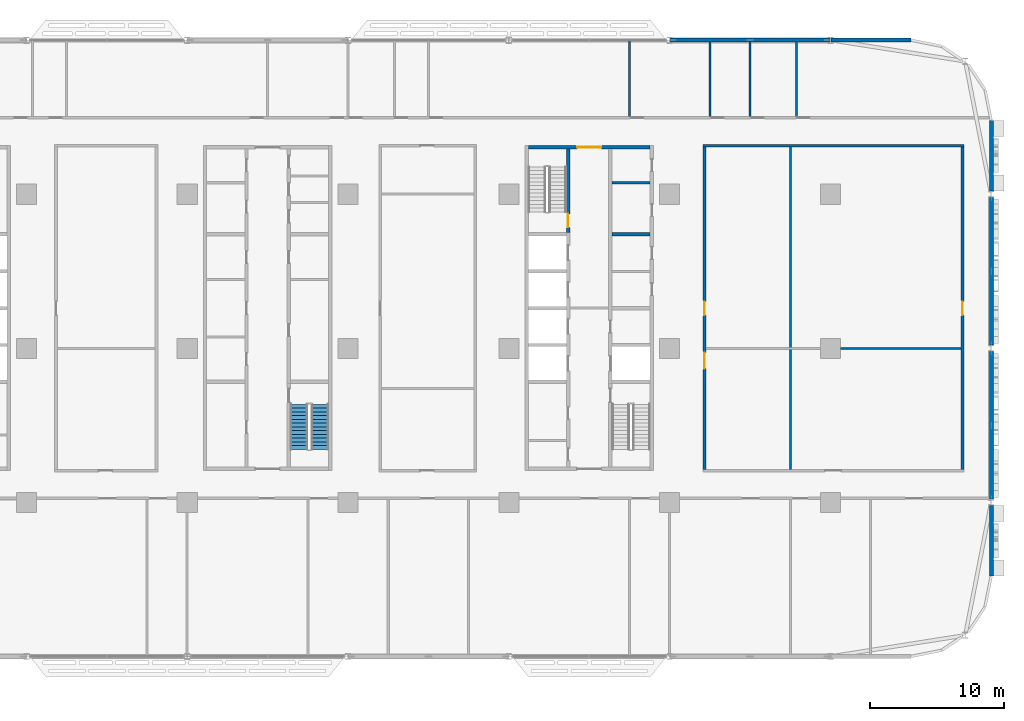
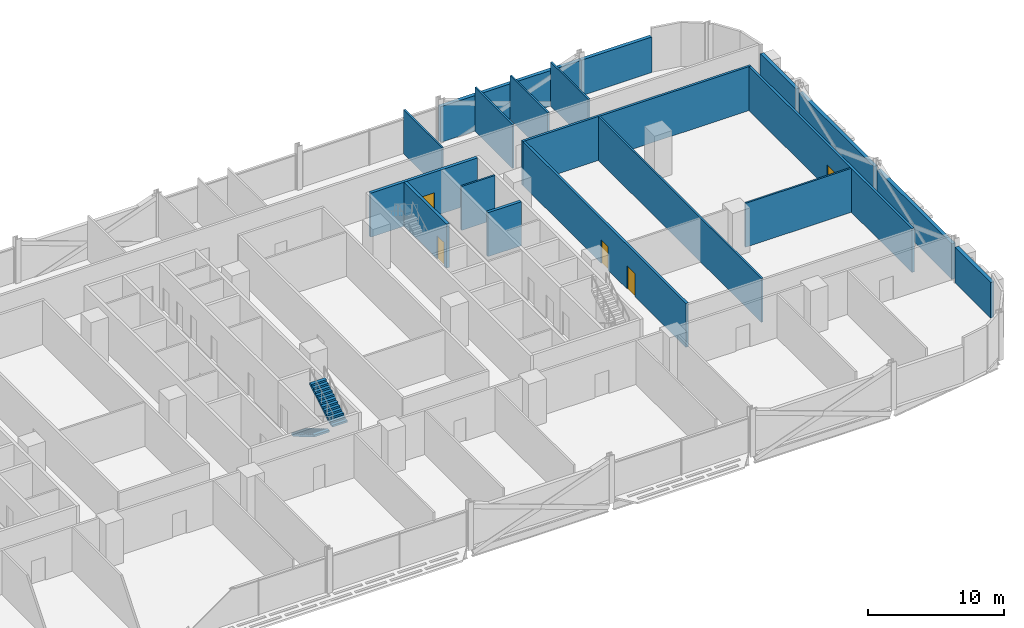
# One storey, part 17 of 29: 19 walls, 5 doors, 2 stair flights, 5 openings, 1 element without a shape of its own.
"""IFC4 building model written with IfcOpenShell, lengths in metres."""

from ifc_helpers import new_model, si_unit, direction, frame, frame_2d, origin, place, context, subcontext, project, spatial, polyline, rectangle, outline, extrude, material, layer, layer_set, type_object, element, fill, aggregate, save


model = new_model("IFC4")

# Units and contexts
model_context = context("Model", 3, precision=1e-05, world=origin(), true_north=direction((0.0, 1.0)))
body_context = subcontext(model_context, "Body", "Model", "MODEL_VIEW")
ifc_project = project(units=[si_unit("LENGTHUNIT", "METRE"), si_unit("AREAUNIT", "SQUARE_METRE"), si_unit("VOLUMEUNIT", "CUBIC_METRE"), si_unit("PLANEANGLEUNIT", "RADIAN"), si_unit("MASSUNIT", "GRAM", prefix="KILO")], contexts=[model_context])

# Site, building, storey
site_placement = place(None, origin())
site = spatial("IfcSite", under=ifc_project, at=site_placement, CompositionType="ELEMENT")
building_placement = place(site_placement, origin())
building = spatial("IfcBuilding", under=site, at=building_placement, Name="Mahtab Terrace Research Tower", CompositionType="ELEMENT")
storey_placement = place(building_placement, frame((0.0, 0.0, 71.800048828125)))
storey = spatial("IfcBuildingStorey", under=building, at=storey_placement, Name="L16", CompositionType="ELEMENT", Elevation=71.800048828125)

# Wall
ifc_material_1 = material(Name="Gypsum board partition")
ifc_layer_1 = layer(ifc_material_1, 0.14990234375)
ifc_layer_set_1 = layer_set([ifc_layer_1], Name="Core partition 150")
wall_type_1 = type_object("IfcWallType", Name="Core partition 150", PredefinedType="PARTITIONING", material=ifc_layer_set_1)
wall_1_placement = place(storey_placement, frame((25.699951171875, 12.35498046875, 0.0), z_axis=(0.0, 0.0, 1.0), x_axis=(1.0, 0.0, 0.0)))
element("IfcWall", 1, at=wall_1_placement, inside=storey, type_object=wall_type_1, Name="Core wall C pEN936", PredefinedType="PARTITIONING", context=body_context, shape_type="SweptSolid", body=[
    extrude(rectangle(XDim=2.85009765625, YDim=0.14990234375, at=frame_2d((1.425048828125, 0.0))), origin(), (0.0, 0.0, 1.0), 3.9599609375),
])

# Wall, opening, door
ifc_material_2 = material(Name="Concrete C70/85", Category="concrete")
ifc_layer_2 = layer(ifc_material_2, 0.25)
ifc_layer_set_2 = layer_set([ifc_layer_2], Name="Core wall 250")
wall_type_2 = type_object("IfcWallType", Name="Core wall 250", PredefinedType="SOLIDWALL", material=ifc_layer_set_2)
wall_2_placement = place(storey_placement, frame((19.449951171875, 15.0, 0.0), z_axis=(0.0, 0.0, 1.0), x_axis=(1.0, 0.0, 0.0)))
wall_2 = element("IfcWall", 2, at=wall_2_placement, inside=storey, type_object=wall_type_2, Name="Core wall C endN", PredefinedType="SOLIDWALL", context=body_context, shape_type="SweptSolid", body=[
    extrude(rectangle(XDim=9.10009765625, YDim=0.25, at=frame_2d((4.550048828125, 0.0))), origin(), (0.0, 0.0, 1.0), 3.9599609375),
])
opening_1_placement = place(wall_2_placement, frame((3.64990234375, 0.0, 0.0)))
opening_1 = element("IfcOpeningElement", 3, at=opening_1_placement, cuts=wall_2, Name="Opening C-N1", PredefinedType="OPENING", context=body_context, shape_type="SweptSolid", body=[
    extrude(rectangle(XDim=1.800048828125, YDim=2.10009765625, at=frame_2d((0.89990234375, 1.050048828125))), frame((0.0, 0.135009765625, 0.0), z_axis=(0.0, -1.0, 0.0), x_axis=(1.0, 0.0, 0.0)), (0.0, 0.0, 1.0), 0.27001953125),
])
ifc_material_3 = material(Name="Steel fire door", Category="steel")
door_type_1 = type_object("IfcDoorType", Name="Lobby double door 1800x2100 1 HR", OperationType="DOUBLE_DOOR_SINGLE_SWING", PredefinedType="DOOR", material=ifc_material_3)
door_1_placement = place(opening_1_placement, origin())
door_1 = element("IfcDoor", 4, at=door_1_placement, inside=storey, type_object=door_type_1, Name="Core entrance door C N", OperationType="DOUBLE_DOOR_SINGLE_SWING", OverallHeight=2.10009765625, OverallWidth=1.800048828125, PredefinedType="DOOR", context=body_context, shape_type="SweptSolid", body=[
    extrude(rectangle(XDim=1.800048828125, YDim=2.10009765625, at=frame_2d((0.89990234375, 1.050048828125))), frame((0.0, 0.02490234375, 0.0), z_axis=(0.0, -1.0, 0.0), x_axis=(1.0, 0.0, 0.0)), (0.0, 0.0, 1.0), 0.050048828125),
])
fill(opening_1, door_1)

wall_3_placement = place(storey_placement, frame((22.425048828125, 14.875, 0.0), z_axis=(0.0, 0.0, 1.0), x_axis=(0.0, -1.0, 0.0)))
wall_3 = element("IfcWall", 5, at=wall_3_placement, inside=storey, type_object=wall_type_2, Name="Core wall C innerWN", PredefinedType="SOLIDWALL", context=body_context, shape_type="SweptSolid", body=[
    extrude(rectangle(XDim=6.25, YDim=0.25, at=frame_2d((3.125, 0.0))), origin(), (0.0, 0.0, 1.0), 3.9599609375),
])
opening_2_placement = place(wall_3_placement, frame((4.85009765625, 0.0, 0.0)))
opening_2 = element("IfcOpeningElement", 6, at=opening_2_placement, cuts=wall_3, Name="Opening C-ST3", PredefinedType="OPENING", context=body_context, shape_type="SweptSolid", body=[
    extrude(rectangle(XDim=1.0, YDim=2.10009765625, at=frame_2d((0.5, 1.050048828125))), frame((0.0, 0.135009765625, 0.0), z_axis=(0.0, -1.0, 0.0), x_axis=(1.0, 0.0, 0.0)), (0.0, 0.0, 1.0), 0.27001953125),
])
door_type_2 = type_object("IfcDoorType", Name="Stair door 1000x2100 1.5 HR", OperationType="NOTDEFINED", PredefinedType="DOOR", material=ifc_material_3)
door_2_placement = place(opening_2_placement, origin())
door_2 = element("IfcDoor", 7, at=door_2_placement, inside=storey, type_object=door_type_2, Name="Stair door ST3 L16", OperationType="SINGLE_SWING_RIGHT", OverallHeight=2.10009765625, OverallWidth=1.0, PredefinedType="DOOR", context=body_context, shape_type="SweptSolid", body=[
    extrude(rectangle(XDim=1.0, YDim=2.10009765625, at=frame_2d((0.5, 1.050048828125))), frame((0.0, 0.02490234375, 0.0), z_axis=(0.0, -1.0, 0.0), x_axis=(1.0, 0.0, 0.0)), (0.0, 0.0, 1.0), 0.050048828125),
])
fill(opening_2, door_2)

# Walls
wall_4_placement = place(storey_placement, frame((25.699951171875, 8.5, 0.0), z_axis=(0.0, 0.0, 1.0), x_axis=(1.0, 0.0, 0.0)))
element("IfcWall", 8, at=wall_4_placement, inside=storey, type_object=wall_type_2, Name="Core wall C divE4", PredefinedType="SOLIDWALL", context=body_context, shape_type="SweptSolid", body=[
    extrude(rectangle(XDim=2.85009765625, YDim=0.25, at=frame_2d((1.425048828125, 0.0))), origin(), (0.0, 0.0, 1.0), 3.9599609375),
])
ifc_material_4 = material(Name="Black aluminium cladding panel", Category="aluminium")
ifc_layer_3 = layer(ifc_material_4, 0.300048828125)
ifc_layer_set_3 = layer_set([ifc_layer_3], Name="Opaque facade wall 300")
wall_type_3 = type_object("IfcWallType", Name="Opaque facade wall 300", PredefinedType="NOTDEFINED", material=ifc_layer_set_3)
wall_5_placement = place(storey_placement, frame((48.0, 23.0, 0.0), z_axis=(0.0, 0.0, 1.0), x_axis=(-1.0, 0.0, 0.0)))
element("IfcWall", 9, at=wall_5_placement, inside=storey, type_object=wall_type_3, Name="Opaque facade wall L16 N3", PredefinedType="NOTDEFINED", context=body_context, shape_type="SweptSolid", body=[
    extrude(rectangle(XDim=5.97607421875, YDim=0.300048828125, at=frame_2d((2.988037109375, 0.0))), origin(), (0.0, 0.0, 1.0), 3.203125),
])
wall_6_placement = place(storey_placement, frame((41.97607421875, 23.0, 0.0), z_axis=(0.0, 0.0, 1.0), x_axis=(-1.0, 0.0, 0.0)))
element("IfcWall", 10, at=wall_6_placement, inside=storey, type_object=wall_type_3, Name="Opaque facade wall L16 N4", PredefinedType="NOTDEFINED", context=body_context, shape_type="SweptSolid", body=[
    extrude(rectangle(XDim=11.9521484375, YDim=0.300048828125, at=frame_2d((5.97607421875, 0.0))), origin(), (0.0, 0.0, 1.0), 3.203125),
])
wall_7_placement = place(storey_placement, frame((54.0, -17.0, 0.0), z_axis=(0.0, 0.0, 1.0), x_axis=(0.0, 1.0, 0.0)))
element("IfcWall", 11, at=wall_7_placement, inside=storey, type_object=wall_type_3, Name="Opaque facade wall L16 E35", PredefinedType="NOTDEFINED", context=body_context, shape_type="SweptSolid", body=[
    extrude(rectangle(XDim=5.261962890625, YDim=0.300048828125, at=frame_2d((2.630859375, 0.0))), origin(), (0.0, 0.0, 1.0), 3.203125),
])
for number, where, z_axis, x_axis, name in (
    (12, (54.0, -11.261962890625, 0.0), (0.0, 0.0, 1.0), (0.0, 1.0, 0.0), "Opaque facade wall L16 E36"),
    (13, (54.0, 0.238037109375, 0.0), (0.0, 0.0, 1.0), (0.0, 1.0, 0.0), "Opaque facade wall L16 E37"),
):
    element("IfcWall", number, at=place(storey_placement, frame(where, z_axis=z_axis, x_axis=x_axis)), inside=storey, type_object=wall_type_3, Name=name, PredefinedType="NOTDEFINED", context=body_context, shape_type="SweptSolid", body=[
        extrude(rectangle(XDim=11.02392578125, YDim=0.300048828125, at=frame_2d((5.511962890625, 0.0))), origin(), (0.0, 0.0, 1.0), 3.203125),
    ])
wall_8_placement = place(storey_placement, frame((54.0, 11.738037109375, 0.0), z_axis=(0.0, 0.0, 1.0), x_axis=(0.0, 1.0, 0.0)))
element("IfcWall", 14, at=wall_8_placement, inside=storey, type_object=wall_type_3, Name="Opaque facade wall L16 E38", PredefinedType="NOTDEFINED", context=body_context, shape_type="SweptSolid", body=[
    extrude(rectangle(XDim=5.261962890625, YDim=0.300048828125, at=frame_2d((2.630859375, 0.0))), origin(), (0.0, 0.0, 1.0), 3.203125),
])
ifc_material_5 = material(Name="Gypsum board corridor wall on steel studs", Category="steel")
ifc_layer_4 = layer(ifc_material_5, 0.199951171875)
ifc_layer_set_4 = layer_set([ifc_layer_4], Name="WALL CORRIDOR 200")
wall_type_4 = type_object("IfcWallType", Name="WALL CORRIDOR 200", PredefinedType="PARTITIONING", material=ifc_layer_set_4)
wall_9_placement = place(storey_placement, frame((32.5, 15.125, 0.0), z_axis=(0.0, 0.0, 1.0), x_axis=(1.0, 0.0, 0.0)))
element("IfcWall", 15, at=wall_9_placement, inside=storey, type_object=wall_type_4, Name="L16-W023", PredefinedType="PARTITIONING", context=body_context, shape_type="SweptSolid", body=[
    extrude(rectangle(XDim=19.449951171875, YDim=0.199951171875, at=frame_2d((9.72509765625, 0.0))), origin(), (0.0, 0.0, 1.0), 3.9599609375),
])

# Wall, openings, doors
wall_10_placement = place(storey_placement, frame((32.60009765625, -9.02490234375, 0.0), z_axis=(0.0, 0.0, 1.0), x_axis=(0.0, 1.0, 0.0)))
wall_10 = element("IfcWall", 16, at=wall_10_placement, inside=storey, type_object=wall_type_4, Name="L16-W050", PredefinedType="PARTITIONING", context=body_context, shape_type="SweptSolid", body=[
    extrude(rectangle(XDim=24.0498046875, YDim=0.199951171875, at=frame_2d((12.02490234375, 0.0))), origin(), (0.0, 0.0, 1.0), 3.9599609375),
])
opening_3_placement = place(wall_10_placement, frame((7.5, 0.0, 0.0)))
opening_3 = element("IfcOpeningElement", 17, at=opening_3_placement, cuts=wall_10, Name="Opening L16-117", PredefinedType="OPENING", context=body_context, shape_type="SweptSolid", body=[
    extrude(rectangle(XDim=1.199951171875, YDim=2.10009765625, at=frame_2d((0.60009765625, 1.050048828125))), frame((0.0, 0.10986328125, 0.0), z_axis=(0.0, -1.0, 0.0), x_axis=(1.0, 0.0, 0.0)), (0.0, 0.0, 1.0), 0.219970703125),
])
opening_4_placement = place(wall_10_placement, frame((11.5, 0.0, 0.0)))
opening_4 = element("IfcOpeningElement", 18, at=opening_4_placement, cuts=wall_10, Name="Opening L16-122", PredefinedType="OPENING", context=body_context, shape_type="SweptSolid", body=[
    extrude(rectangle(XDim=1.0, YDim=2.10009765625, at=frame_2d((0.5, 1.050048828125))), frame((0.0, 0.10986328125, 0.0), z_axis=(0.0, -1.0, 0.0), x_axis=(1.0, 0.0, 0.0)), (0.0, 0.0, 1.0), 0.219970703125),
])
ifc_material_6 = material(Name="Timber door leaf in steel frame", Category="steel")
door_type_3 = type_object("IfcDoorType", Name="DOOR 1000X2100 FD30S", OperationType="SINGLE_SWING_LEFT", PredefinedType="DOOR", material=ifc_material_6)
door_3_placement = place(opening_4_placement, origin())
door_3 = element("IfcDoor", 19, at=door_3_placement, inside=storey, type_object=door_type_3, Name="Door L16-122", OperationType="SINGLE_SWING_RIGHT", OverallHeight=2.10009765625, OverallWidth=1.0, PredefinedType="DOOR", context=body_context, shape_type="SweptSolid", body=[
    extrude(rectangle(XDim=1.0, YDim=2.10009765625, at=frame_2d((0.5, 1.050048828125))), frame((0.0, 0.02490234375, 0.0), z_axis=(0.0, -1.0, 0.0), x_axis=(1.0, 0.0, 0.0)), (0.0, 0.0, 1.0), 0.050048828125),
])
fill(opening_4, door_3)
door_type_4 = type_object("IfcDoorType", Name="DOOR 1200X2100 FD30S", OperationType="SINGLE_SWING_LEFT", PredefinedType="DOOR", material=ifc_material_6)
door_4_placement = place(opening_3_placement, origin())
door_4 = element("IfcDoor", 20, at=door_4_placement, inside=storey, type_object=door_type_4, Name="Door L16-117", OperationType="SINGLE_SWING_RIGHT", OverallHeight=2.10009765625, OverallWidth=1.199951171875, PredefinedType="DOOR", context=body_context, shape_type="SweptSolid", body=[
    extrude(rectangle(XDim=1.199951171875, YDim=2.10009765625, at=frame_2d((0.60009765625, 1.050048828125))), frame((0.0, 0.02490234375, 0.0), z_axis=(0.0, -1.0, 0.0), x_axis=(1.0, 0.0, 0.0)), (0.0, 0.0, 1.0), 0.050048828125),
])
fill(opening_3, door_4)

# Wall, opening, door
wall_11_placement = place(storey_placement, frame((51.85009765625, -9.02490234375, 0.0), z_axis=(0.0, 0.0, 1.0), x_axis=(0.0, 1.0, 0.0)))
wall_11 = element("IfcWall", 21, at=wall_11_placement, inside=storey, type_object=wall_type_4, Name="L16-W057", PredefinedType="PARTITIONING", context=body_context, shape_type="SweptSolid", body=[
    extrude(rectangle(XDim=24.0498046875, YDim=0.199951171875, at=frame_2d((12.02490234375, 0.0))), origin(), (0.0, 0.0, 1.0), 3.9599609375),
])
opening_5_placement = place(wall_11_placement, frame((11.5, 0.0, 0.0)))
opening_5 = element("IfcOpeningElement", 22, at=opening_5_placement, cuts=wall_11, Name="Opening L16-123", PredefinedType="OPENING", context=body_context, shape_type="SweptSolid", body=[
    extrude(rectangle(XDim=1.0, YDim=2.10009765625, at=frame_2d((0.5, 1.050048828125))), frame((0.0, 0.10986328125, 0.0), z_axis=(0.0, -1.0, 0.0), x_axis=(1.0, 0.0, 0.0)), (0.0, 0.0, 1.0), 0.219970703125),
])
door_5_placement = place(opening_5_placement, origin())
door_5 = element("IfcDoor", 23, at=door_5_placement, inside=storey, type_object=door_type_3, Name="Door L16-123", OperationType="SINGLE_SWING_LEFT", OverallHeight=2.10009765625, OverallWidth=1.0, PredefinedType="DOOR", context=body_context, shape_type="SweptSolid", body=[
    extrude(rectangle(XDim=1.0, YDim=2.10009765625, at=frame_2d((0.5, 1.050048828125))), frame((0.0, 0.02490234375, 0.0), z_axis=(0.0, -1.0, 0.0), x_axis=(1.0, 0.0, 0.0)), (0.0, 0.0, 1.0), 0.050048828125),
])
fill(opening_5, door_5)

# Walls
ifc_material_7 = material(Name="Gypsum board partition on steel studs", Category="steel")
ifc_layer_5 = layer(ifc_material_7, 0.14990234375)
ifc_layer_set_5 = layer_set([ifc_layer_5], Name="WALL PARTITION 150")
wall_type_5 = type_object("IfcWallType", Name="WALL PARTITION 150", PredefinedType="PARTITIONING", material=ifc_layer_set_5)
wall_12_placement = place(storey_placement, frame((42.75, 0.0, 0.0), z_axis=(0.0, 0.0, 1.0), x_axis=(1.0, 0.0, 0.0)))
element("IfcWall", 24, at=wall_12_placement, inside=storey, type_object=wall_type_5, Name="L16-W017", PredefinedType="PARTITIONING", context=body_context, shape_type="SweptSolid", body=[
    extrude(rectangle(XDim=9.0, YDim=0.14990234375, at=frame_2d((4.5, 0.0))), origin(), (0.0, 0.0, 1.0), 3.9599609375),
])
wall_13_placement = place(storey_placement, frame((27.0, 17.300048828125, 0.0), z_axis=(0.0, 0.0, 1.0), x_axis=(0.0, 1.0, 0.0)))
element("IfcWall", 25, at=wall_13_placement, inside=storey, type_object=wall_type_5, Name="L16-W048", PredefinedType="PARTITIONING", context=body_context, shape_type="SweptSolid", body=[
    extrude(rectangle(XDim=5.675048828125, YDim=0.14990234375, at=frame_2d((2.83740234375, 0.0))), origin(), (0.0, 0.0, 1.0), 3.9599609375),
])
for number, where, z_axis, x_axis, name in (
    (26, (33.0, 17.300048828125, 0.0), (0.0, 0.0, 1.0), (0.0, 1.0, 0.0), "L16-W051"),
    (27, (36.0, 17.300048828125, 0.0), (0.0, 0.0, 1.0), (0.0, 1.0, 0.0), "L16-W052"),
):
    element("IfcWall", number, at=place(storey_placement, frame(where, z_axis=z_axis, x_axis=x_axis)), inside=storey, type_object=wall_type_5, Name=name, PredefinedType="PARTITIONING", context=body_context, shape_type="SweptSolid", body=[
        extrude(rectangle(XDim=5.550048828125, YDim=0.14990234375, at=frame_2d((2.77490234375, 0.0))), origin(), (0.0, 0.0, 1.0), 3.9599609375),
    ])
wall_14_placement = place(storey_placement, frame((39.0, -9.02490234375, 0.0), z_axis=(0.0, 0.0, 1.0), x_axis=(0.0, 1.0, 0.0)))
element("IfcWall", 28, at=wall_14_placement, inside=storey, type_object=wall_type_5, Name="L16-W054", PredefinedType="PARTITIONING", context=body_context, shape_type="SweptSolid", body=[
    extrude(rectangle(XDim=24.0498046875, YDim=0.14990234375, at=frame_2d((12.02490234375, 0.0))), origin(), (0.0, 0.0, 1.0), 3.9599609375),
])
wall_15_placement = place(storey_placement, frame((39.449951171875, 17.300048828125, 0.0), z_axis=(0.0, 0.0, 1.0), x_axis=(0.0, 1.0, 0.0)))
element("IfcWall", 29, at=wall_15_placement, inside=storey, type_object=wall_type_5, Name="L16-W055", PredefinedType="PARTITIONING", context=body_context, shape_type="SweptSolid", body=[
    extrude(rectangle(XDim=5.550048828125, YDim=0.14990234375, at=frame_2d((2.77490234375, 0.0))), origin(), (0.0, 0.0, 1.0), 3.9599609375),
])

# Stair, stair flights
ifc_material_8 = material(Name="Exit stair half-turn")
stair_type = type_object("IfcStairType", Name="Exit stair half-turn", PredefinedType="HALF_TURN_STAIR", material=ifc_material_8)
stair_placement = place(storey_placement, origin())
stair = element("IfcStair", 30, at=stair_placement, inside=storey, type_object=stair_type, Name="L16 Protected exit stair ST2", PredefinedType="HALF_TURN_STAIR")
ifc_material_9 = material(Name="Concrete C40/50", Category="concrete")
stair_flight_type = type_object("IfcStairFlightType", Name="Exit stair flight 1300", PredefinedType="STRAIGHT", material=ifc_material_9)
stair_flight_1_placement = place(storey_placement, frame((2.35009765625, -4.175048828125, 0.0), z_axis=(0.0, 0.0, 1.0), x_axis=(0.0, -1.0, 0.0)))
stair_flight_1 = element("IfcStairFlight", 31, at=stair_flight_1_placement, type_object=stair_flight_type, Name="ST2 flight 1", NumberOfRisers=13, NumberOfTreads=12, PredefinedType="STRAIGHT", RiserHeight=0.165384615, TreadLength=0.28, context=body_context, shape_type="SweptSolid", body=[
    extrude(outline(polyline([(0.0, 0.0), (0.0, 0.165283203125), (0.280029296875, 0.165283203125), (0.280029296875, 0.330810546875), (0.56005859375, 0.330810546875), (0.56005859375, 0.49609375), (0.840087890625, 0.49609375), (0.840087890625, 0.66162109375), (1.1201171875, 0.66162109375), (1.1201171875, 0.826904296875), (1.39990234375, 0.826904296875), (1.39990234375, 0.9921875), (1.679931640625, 0.9921875), (1.679931640625, 1.15771484375), (1.9599609375, 1.15771484375), (1.9599609375, 1.322998046875), (2.239990234375, 1.322998046875), (2.239990234375, 1.488525390625), (2.52001953125, 1.488525390625), (2.52001953125, 1.65380859375), (2.800048828125, 1.65380859375), (2.800048828125, 1.8193359375), (3.080078125, 1.8193359375), (3.080078125, 1.984619140625), (3.360107421875, 1.984619140625), (3.360107421875, 2.14990234375), (3.360107421875, 1.810546875), (0.294677734375, 0.0), (0.0, 0.0)])), frame((0.0, 0.64990234375, 0.0), z_axis=(0.0, -1.0, 0.0), x_axis=(1.0, 0.0, 0.0)), (0.0, 0.0, 1.0), 1.300048828125),
])
stair_flight_2_placement = place(storey_placement, frame((3.89990234375, -7.534912109375, 2.14990234375), z_axis=(0.0, 0.0, 1.0), x_axis=(0.0, 1.0, 0.0)))
stair_flight_2 = element("IfcStairFlight", 32, at=stair_flight_2_placement, type_object=stair_flight_type, Name="ST2 flight 2", NumberOfRisers=13, NumberOfTreads=12, PredefinedType="STRAIGHT", RiserHeight=0.165384615, TreadLength=0.28, context=body_context, shape_type="SweptSolid", body=[
    extrude(outline(polyline([(0.0, 0.0), (0.0, 0.165283203125), (0.280029296875, 0.165283203125), (0.280029296875, 0.330810546875), (0.56005859375, 0.330810546875), (0.56005859375, 0.49609375), (0.840087890625, 0.49609375), (0.840087890625, 0.66162109375), (1.1201171875, 0.66162109375), (1.1201171875, 0.826904296875), (1.39990234375, 0.826904296875), (1.39990234375, 0.9921875), (1.679931640625, 0.9921875), (1.679931640625, 1.15771484375), (1.9599609375, 1.15771484375), (1.9599609375, 1.322998046875), (2.239990234375, 1.322998046875), (2.239990234375, 1.488525390625), (2.52001953125, 1.488525390625), (2.52001953125, 1.65380859375), (2.800048828125, 1.65380859375), (2.800048828125, 1.8193359375), (3.080078125, 1.8193359375), (3.080078125, 1.984619140625), (3.360107421875, 1.984619140625), (3.360107421875, 2.14990234375), (3.360107421875, 1.810546875), (0.294677734375, 0.0), (0.0, 0.0)])), frame((0.0, 0.64990234375, 0.0), z_axis=(0.0, -1.0, 0.0), x_axis=(1.0, 0.0, 0.0)), (0.0, 0.0, 1.0), 1.300048828125),
])
aggregate(stair, [stair_flight_1, stair_flight_2])

save(model, "model.ifc")
